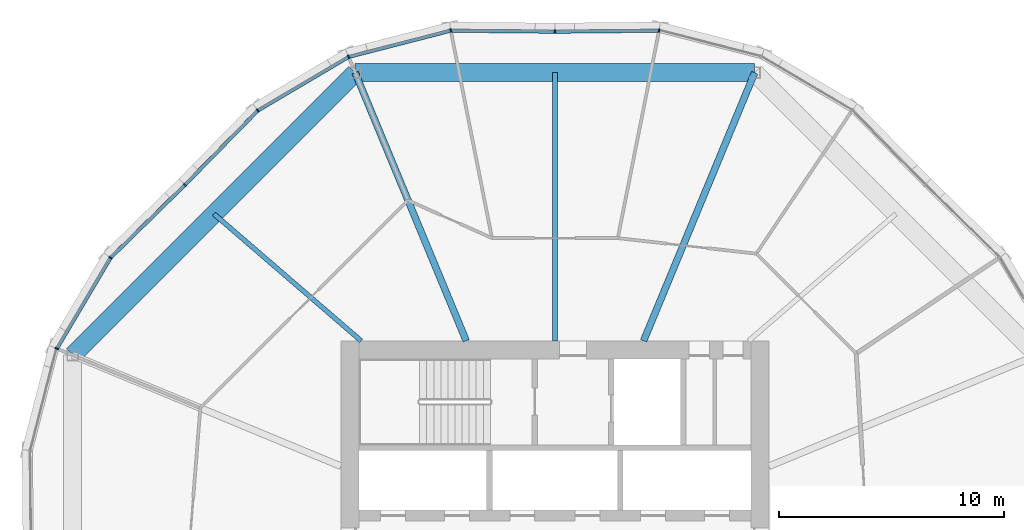
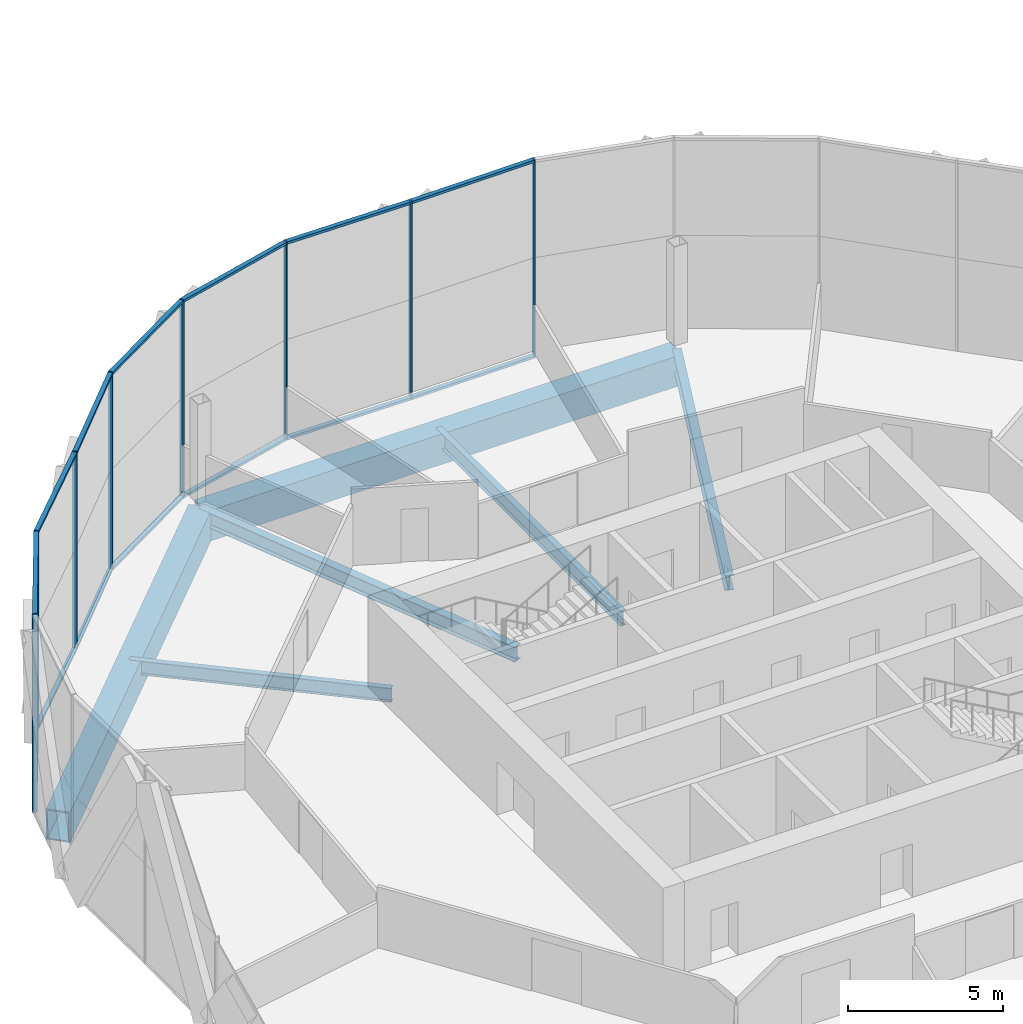
# One storey, part 7 of 31: 22 members, 6 beams, 3 elements without a shape of their own.
"""IFC4 building model written with IfcOpenShell, lengths in metres."""

from ifc_helpers import new_model, si_unit, direction, frame, origin, origin_2d, place, context, subcontext, project, spatial, rectangle, hollow_rectangle, i_section, extrude, material, material_profile, profile_set, type_object, element, aggregate, save


model = new_model("IFC4")

# Units and contexts
model_context = context("Model", 3, precision=1e-05, world=origin(), true_north=direction((0.0, 1.0)))
body_context = subcontext(model_context, "Body", "Model", "MODEL_VIEW")
ifc_project = project(units=[si_unit("LENGTHUNIT", "METRE"), si_unit("AREAUNIT", "SQUARE_METRE"), si_unit("VOLUMEUNIT", "CUBIC_METRE"), si_unit("PLANEANGLEUNIT", "RADIAN"), si_unit("MASSUNIT", "GRAM", prefix="KILO")], contexts=[model_context])

# Site, building, storey
site_placement = place(None, origin())
site = spatial("IfcSite", under=ifc_project, at=site_placement, CompositionType="ELEMENT")
building_placement = place(site_placement, origin())
building = spatial("IfcBuilding", under=site, at=building_placement, Name="Ogive Gate Towers", CompositionType="ELEMENT")
storey_placement = place(building_placement, frame((0.0, 0.0, 107.39990234375)))
storey = spatial("IfcBuildingStorey", under=building, at=storey_placement, Name="L25", CompositionType="ELEMENT", Elevation=107.39990234375)

# Beams
ifc_material_1 = material(Name="Steel SM460", Category="steel")
ifc_material_profile_1 = material_profile(ifc_material_1, hollow_rectangle(XDim=0.800048828125, YDim=1.199951171875, WallThickness=0.050048828125, at=origin_2d()), Name="BX 1200x800x50")
ifc_profile_set_1 = profile_set([ifc_material_profile_1], Name="Steel SM460")
beam_type_1 = type_object("IfcBeamType", Name="Edge girder BX 1200x800x50", PredefinedType="BEAM", material=ifc_profile_set_1)
beam_1_placement = place(storey_placement, frame((-27.136962890625, 21.39697265625, -0.89990234375), z_axis=(-1.0, 0.0, 0.0), x_axis=(0.0, -1.0, 0.0)))
element("IfcBeam", 1, at=beam_1_placement, inside=storey, type_object=beam_type_1, Name="T1/L25/SBM022", PredefinedType="BEAM", context=body_context, shape_type="SweptSolid", body=[
    extrude(hollow_rectangle(XDim=0.800048828125, YDim=1.199951171875, WallThickness=0.050048828125, at=origin_2d()), origin(), (0.0, 0.0, 1.0), 17.72607421875),
])
beam_2_placement = place(storey_placement, frame((-44.863037109375, 21.39697265625, -0.89990234375), z_axis=(-0.707106781187, -0.707106781187, 0.0), x_axis=(0.707106781187, -0.707106781187, 0.0)))
element("IfcBeam", 2, at=beam_2_placement, inside=storey, type_object=beam_type_1, Name="T1/L25/SBM023", PredefinedType="BEAM", context=body_context, shape_type="SweptSolid", body=[
    extrude(hollow_rectangle(XDim=0.800048828125, YDim=1.199951171875, WallThickness=0.050048828125, at=origin_2d()), origin(), (0.0, 0.0, 1.0), 17.7255859375),
])
ifc_material_2 = material(Name="Steel SM355", Category="steel")
ifc_material_profile_2 = material_profile(ifc_material_2, i_section(OverallWidth=0.300048828125, OverallDepth=0.590087890625, WebThickness=0.012939453125, FlangeThickness=0.02490234375, FilletRadius=0.027099609375, at=origin_2d()), Name="HE 600 A")
ifc_profile_set_2 = profile_set([ifc_material_profile_2], Name="Steel SM355")
beam_type_2 = type_object("IfcBeamType", Name="Radial floor beam HE 600 A", PredefinedType="BEAM", material=ifc_profile_set_2)
for number, where, z_axis, x_axis, name in (
    (3, (-32.06494140625, 9.5, -0.594970703125), (0.382689470177, 0.923877031545, 0.0), (-0.923877031545, 0.382689470177, 0.0), "T1/L25/SBM011"),
    (4, (-39.93505859375, 9.5, -0.594970703125), (-0.382689470177, 0.923877031545, 0.0), (-0.923877031545, -0.382689470177, 0.0), "T1/L25/SBM013"),
):
    element("IfcBeam", number, at=place(storey_placement, frame(where, z_axis=z_axis, x_axis=x_axis)), inside=storey, type_object=beam_type_2, Name=name, PredefinedType="BEAM", context=body_context, shape_type="SweptSolid", body=[
        extrude(i_section(OverallWidth=0.300048828125, OverallDepth=0.590087890625, WebThickness=0.012939453125, FlangeThickness=0.02490234375, FilletRadius=0.027099609375, at=origin_2d()), origin(), (0.0, 0.0, 1.0), 12.877197265625),
    ])
ifc_material_profile_3 = material_profile(ifc_material_2, i_section(OverallWidth=0.2099609375, OverallDepth=0.550048828125, WebThickness=0.010986328125, FlangeThickness=0.01708984375, FilletRadius=0.02392578125, at=origin_2d()), Name="IPE 550")
ifc_profile_set_3 = profile_set([ifc_material_profile_3], Name="Steel SM355")
beam_type_3 = type_object("IfcBeamType", Name="Radial floor beam IPE 550", PredefinedType="BEAM", material=ifc_profile_set_3)
beam_3_placement = place(storey_placement, frame((-44.60009765625, 9.5, -0.574951171875), z_axis=(-0.757366499315, 0.652990034928, 0.0), x_axis=(-0.652990034928, -0.757366499315, 0.0)))
element("IfcBeam", 5, at=beam_3_placement, inside=storey, type_object=beam_type_3, Name="T1/L25/SBM014", PredefinedType="BEAM", context=body_context, shape_type="SweptSolid", body=[
    extrude(i_section(OverallWidth=0.2099609375, OverallDepth=0.550048828125, WebThickness=0.010986328125, FlangeThickness=0.01708984375, FilletRadius=0.02392578125, at=origin_2d()), origin(), (0.0, 0.0, 1.0), 8.62158203125),
])
ifc_material_profile_4 = material_profile(ifc_material_2, i_section(OverallWidth=0.219970703125, OverallDepth=0.60009765625, WebThickness=0.011962890625, FlangeThickness=0.01904296875, FilletRadius=0.02392578125, at=origin_2d()), Name="IPE 600")
ifc_profile_set_4 = profile_set([ifc_material_profile_4], Name="Steel SM355")
beam_type_4 = type_object("IfcBeamType", Name="Radial floor beam IPE 600", PredefinedType="BEAM", material=ifc_profile_set_4)
beam_4_placement = place(storey_placement, frame((-36.0, 9.5, -0.599853515625), z_axis=(0.0, 1.0, 0.0), x_axis=(-1.0, 0.0, 0.0)))
element("IfcBeam", 6, at=beam_4_placement, inside=storey, type_object=beam_type_4, Name="T1/L25/SBM012", PredefinedType="BEAM", context=body_context, shape_type="SweptSolid", body=[
    extrude(i_section(OverallWidth=0.219970703125, OverallDepth=0.60009765625, WebThickness=0.011962890625, FlangeThickness=0.01904296875, FilletRadius=0.02392578125, at=origin_2d()), origin(), (0.0, 0.0, 1.0), 11.89697265625),
])

# Curtain wall, members
ifc_material_3 = material(Name="Pale metal aluminium", Category="aluminium")
curtain_wall_type = type_object("IfcCurtainWallType", Name="Tower unitised wall, low zone", PredefinedType="NOTDEFINED", material=ifc_material_3)
curtain_wall_1_placement = place(storey_placement, origin())
curtain_wall_1 = element("IfcCurtainWall", 7, at=curtain_wall_1_placement, inside=storey, type_object=curtain_wall_type, Name="CW1 T1 ECW02", PredefinedType="NOTDEFINED")
ifc_material_profile_5 = material_profile(ifc_material_3, rectangle(XDim=0.159912109375, YDim=0.06005859375, at=origin_2d()), Name="60 x 160 aluminium box")
ifc_profile_set_5 = profile_set([ifc_material_profile_5], Name="Pale metal aluminium")
member_type_1 = type_object("IfcMemberType", Name="Tower unitised wall, low zone mullion 60 x 160", PredefinedType="MULLION", material=ifc_profile_set_5)
member_1_placement = place(storey_placement, frame((-31.37841796875, 23.26611328125, -0.2998046875), z_axis=(0.0, 0.0, 1.0), x_axis=(0.120639303069, 0.99269640805, 0.0)))
member_1 = element("IfcMember", 8, at=member_1_placement, type_object=member_type_1, Name="CW1 mullion", PredefinedType="MULLION", context=body_context, shape_type="SweptSolid", body=[
    extrude(rectangle(XDim=0.159912109375, YDim=0.06005859375, at=origin_2d()), origin(), (0.0, 0.0, 1.0), 7.7998046875),
])
member_2_placement = place(storey_placement, frame((-35.999755859375, 23.219970703125, -0.2998046875), z_axis=(0.0, 0.0, 1.0), x_axis=(-0.009930760208, 0.999950688785, 0.0)))
member_2 = element("IfcMember", 9, at=member_2_placement, type_object=member_type_1, Name="CW1 mullion", PredefinedType="MULLION", context=body_context, shape_type="SweptSolid", body=[
    extrude(rectangle(XDim=0.159912109375, YDim=0.06005859375, at=origin_2d()), origin(), (0.0, 0.0, 1.0), 7.7998046875),
])

curtain_wall_2_placement = place(storey_placement, origin())
curtain_wall_2 = element("IfcCurtainWall", 10, at=curtain_wall_2_placement, inside=storey, type_object=curtain_wall_type, Name="CW1 T1 ECW03", PredefinedType="NOTDEFINED")
member_3_placement = place(storey_placement, frame((-40.62158203125, 23.26611328125, -0.2998046875), z_axis=(0.0, 0.0, 1.0), x_axis=(-0.120639303069, 0.99269640805, 0.0)))
member_3 = element("IfcMember", 11, at=member_3_placement, type_object=member_type_1, Name="CW1 mullion", PredefinedType="MULLION", context=body_context, shape_type="SweptSolid", body=[
    extrude(rectangle(XDim=0.159912109375, YDim=0.06005859375, at=origin_2d()), origin(), (0.0, 0.0, 1.0), 7.7998046875),
])
member_4_placement = place(storey_placement, frame((-45.154052734375, 22.10009765625, -0.2998046875), z_axis=(0.0, 0.0, 1.0), x_axis=(-0.382683432365, 0.923879532511, 0.0)))
member_4 = element("IfcMember", 12, at=member_4_placement, type_object=member_type_1, Name="CW1 mullion", PredefinedType="MULLION", context=body_context, shape_type="SweptSolid", body=[
    extrude(rectangle(XDim=0.159912109375, YDim=0.06005859375, at=origin_2d()), origin(), (0.0, 0.0, 1.0), 7.7998046875),
])
member_5_placement = place(storey_placement, frame((-49.18359375, 19.719482421875, -0.2998046875), z_axis=(0.0, 0.0, 1.0), x_axis=(-0.616637492514, 0.787247231069, 0.0)))
member_5 = element("IfcMember", 13, at=member_5_placement, type_object=member_type_1, Name="CW1 mullion", PredefinedType="MULLION", context=body_context, shape_type="SweptSolid", body=[
    extrude(rectangle(XDim=0.159912109375, YDim=0.06005859375, at=origin_2d()), origin(), (0.0, 0.0, 1.0), 7.7998046875),
])
member_6_placement = place(storey_placement, frame((-52.4189453125, 16.419189453125, -0.2998046875), z_axis=(0.0, 0.0, 1.0), x_axis=(-0.714081802495, 0.700062268192, 0.0)))
member_6 = element("IfcMember", 14, at=member_6_placement, type_object=member_type_1, Name="CW1 mullion", PredefinedType="MULLION", context=body_context, shape_type="SweptSolid", body=[
    extrude(rectangle(XDim=0.159912109375, YDim=0.06005859375, at=origin_2d()), origin(), (0.0, 0.0, 1.0), 7.7998046875),
])

curtain_wall_3_placement = place(storey_placement, origin())
curtain_wall_3 = element("IfcCurtainWall", 15, at=curtain_wall_3_placement, inside=storey, type_object=curtain_wall_type, Name="CW1 T1 ECW04", PredefinedType="NOTDEFINED")
member_7_placement = place(storey_placement, frame((-55.719482421875, 13.18359375, -0.2998046875), z_axis=(0.0, 0.0, 1.0), x_axis=(-0.787247231069, 0.616637492514, 0.0)))
member_7 = element("IfcMember", 16, at=member_7_placement, type_object=member_type_1, Name="CW1 mullion", PredefinedType="MULLION", context=body_context, shape_type="SweptSolid", body=[
    extrude(rectangle(XDim=0.159912109375, YDim=0.06005859375, at=origin_2d()), origin(), (0.0, 0.0, 1.0), 7.7998046875),
])
member_8_placement = place(storey_placement, frame((-58.10009765625, 9.154052734375, -0.2998046875), z_axis=(0.0, 0.0, 1.0), x_axis=(-0.923879532511, 0.382683432365, 0.0)))
member_8 = element("IfcMember", 17, at=member_8_placement, type_object=member_type_1, Name="CW1 mullion", PredefinedType="MULLION", context=body_context, shape_type="SweptSolid", body=[
    extrude(rectangle(XDim=0.159912109375, YDim=0.06005859375, at=origin_2d()), origin(), (0.0, 0.0, 1.0), 7.7998046875),
])

# Member
ifc_material_profile_6 = material_profile(ifc_material_3, rectangle(XDim=0.159912109375, YDim=0.10009765625, at=origin_2d()), Name="100 x 160 aluminium box")
ifc_profile_set_6 = profile_set([ifc_material_profile_6], Name="Pale metal aluminium")
member_type_2 = type_object("IfcMemberType", Name="Tower unitised wall, low zone transom 100 x 160", PredefinedType="USERDEFINED", material=ifc_profile_set_6)
member_9_placement = place(storey_placement, frame((-31.40576171875, 23.265625, 7.4501953125), z_axis=(-0.999950505246, -0.009949224028, 0.0), x_axis=(0.009949224028, -0.999950505246, 0.0)))
member_9 = element("IfcMember", 18, at=member_9_placement, type_object=member_type_2, Name="CW1 transom", ObjectType="TRANSOM", PredefinedType="USERDEFINED", context=body_context, shape_type="SweptSolid", body=[
    extrude(rectangle(XDim=0.159912109375, YDim=0.10009765625, at=origin_2d()), origin(), (0.0, 0.0, 1.0), 4.564208984375),
])

member_10_placement = place(storey_placement, frame((-31.40576171875, 23.265625, -0.25), z_axis=(-0.999950505246, -0.009949224028, 0.0), x_axis=(0.009949224028, -0.999950505246, 0.0)))
member_10 = element("IfcMember", 19, at=member_10_placement, type_object=member_type_2, Name="CW1 transom", ObjectType="TRANSOM", PredefinedType="USERDEFINED", context=body_context, shape_type="SweptSolid", body=[
    extrude(rectangle(XDim=0.159912109375, YDim=0.10009765625, at=origin_2d()), origin(), (0.0, 0.0, 1.0), 4.564208984375),
])

aggregate(curtain_wall_1, [member_1, member_2, member_9, member_10])

member_11_placement = place(storey_placement, frame((-36.0302734375, 23.22021484375, 7.4501953125), z_axis=(-0.999950505246, 0.009949224028, 0.0), x_axis=(-0.009949224028, -0.999950505246, 0.0)))
member_11 = element("IfcMember", 20, at=member_11_placement, type_object=member_type_2, Name="CW1 transom", ObjectType="TRANSOM", PredefinedType="USERDEFINED", context=body_context, shape_type="SweptSolid", body=[
    extrude(rectangle(XDim=0.159912109375, YDim=0.10009765625, at=origin_2d()), origin(), (0.0, 0.0, 1.0), 4.564208984375),
])

member_12_placement = place(storey_placement, frame((-36.0302734375, 23.22021484375, -0.25), z_axis=(-0.999950505246, 0.009949224028, 0.0), x_axis=(-0.009949224028, -0.999950505246, 0.0)))
member_12 = element("IfcMember", 21, at=member_12_placement, type_object=member_type_2, Name="CW1 transom", ObjectType="TRANSOM", PredefinedType="USERDEFINED", context=body_context, shape_type="SweptSolid", body=[
    extrude(rectangle(XDim=0.159912109375, YDim=0.10009765625, at=origin_2d()), origin(), (0.0, 0.0, 1.0), 4.564208984375),
])

member_13_placement = place(storey_placement, frame((-40.648193359375, 23.259033203125, 7.4501953125), z_axis=(-0.968468193221, -0.24913722869, 0.0), x_axis=(0.24913722869, -0.968468193221, 0.0)))
member_13 = element("IfcMember", 22, at=member_13_placement, type_object=member_type_2, Name="CW1 transom", ObjectType="TRANSOM", PredefinedType="USERDEFINED", context=body_context, shape_type="SweptSolid", body=[
    extrude(rectangle(XDim=0.159912109375, YDim=0.10009765625, at=origin_2d()), origin(), (0.0, 0.0, 1.0), 4.625244140625),
])

member_14_placement = place(storey_placement, frame((-40.648193359375, 23.259033203125, -0.25), z_axis=(-0.968468193221, -0.24913722869, 0.0), x_axis=(0.24913722869, -0.968468193221, 0.0)))
member_14 = element("IfcMember", 23, at=member_14_placement, type_object=member_type_2, Name="CW1 transom", ObjectType="TRANSOM", PredefinedType="USERDEFINED", context=body_context, shape_type="SweptSolid", body=[
    extrude(rectangle(XDim=0.159912109375, YDim=0.10009765625, at=origin_2d()), origin(), (0.0, 0.0, 1.0), 4.625244140625),
])

member_15_placement = place(storey_placement, frame((-45.177490234375, 22.086181640625, 7.4501953125), z_axis=(-0.860970657685, -0.508654624087, 0.0), x_axis=(0.508654624087, -0.860970657685, 0.0)))
member_15 = element("IfcMember", 24, at=member_15_placement, type_object=member_type_2, Name="CW1 transom", ObjectType="TRANSOM", PredefinedType="USERDEFINED", context=body_context, shape_type="SweptSolid", body=[
    extrude(rectangle(XDim=0.159912109375, YDim=0.10009765625, at=origin_2d()), origin(), (0.0, 0.0, 1.0), 4.62548828125),
])

member_16_placement = place(storey_placement, frame((-45.177490234375, 22.086181640625, -0.25), z_axis=(-0.860970657685, -0.508654624087, 0.0), x_axis=(0.508654624087, -0.860970657685, 0.0)))
member_16 = element("IfcMember", 25, at=member_16_placement, type_object=member_type_2, Name="CW1 transom", ObjectType="TRANSOM", PredefinedType="USERDEFINED", context=body_context, shape_type="SweptSolid", body=[
    extrude(rectangle(XDim=0.159912109375, YDim=0.10009765625, at=origin_2d()), origin(), (0.0, 0.0, 1.0), 4.62548828125),
])

member_17_placement = place(storey_placement, frame((-49.20263671875, 19.699951171875, 7.4501953125), z_axis=(-0.700064993467, -0.714079130714, 0.0), x_axis=(0.714079130714, -0.700064993467, 0.0)))
member_17 = element("IfcMember", 26, at=member_17_placement, type_object=member_type_2, Name="CW1 transom", ObjectType="TRANSOM", PredefinedType="USERDEFINED", context=body_context, shape_type="SweptSolid", body=[
    extrude(rectangle(XDim=0.159912109375, YDim=0.10009765625, at=origin_2d()), origin(), (0.0, 0.0, 1.0), 4.564208984375),
])

member_18_placement = place(storey_placement, frame((-49.20263671875, 19.699951171875, -0.25), z_axis=(-0.700064993467, -0.714079130714, 0.0), x_axis=(0.714079130714, -0.700064993467, 0.0)))
member_18 = element("IfcMember", 27, at=member_18_placement, type_object=member_type_2, Name="CW1 transom", ObjectType="TRANSOM", PredefinedType="USERDEFINED", context=body_context, shape_type="SweptSolid", body=[
    extrude(rectangle(XDim=0.159912109375, YDim=0.10009765625, at=origin_2d()), origin(), (0.0, 0.0, 1.0), 4.564208984375),
])

aggregate(curtain_wall_2, [member_3, member_11, member_12, member_4, member_13, member_14, member_5, member_15, member_16, member_6, member_17, member_18])

member_19_placement = place(storey_placement, frame((-52.440673828125, 16.39794921875, 7.4501953125), z_axis=(-0.714079130714, -0.700064993467, 0.0), x_axis=(0.700064993467, -0.714079130714, 0.0)))
member_19 = element("IfcMember", 28, at=member_19_placement, type_object=member_type_2, Name="CW1 transom", ObjectType="TRANSOM", PredefinedType="USERDEFINED", context=body_context, shape_type="SweptSolid", body=[
    extrude(rectangle(XDim=0.159912109375, YDim=0.10009765625, at=origin_2d()), origin(), (0.0, 0.0, 1.0), 4.564208984375),
])

member_20_placement = place(storey_placement, frame((-52.440673828125, 16.39794921875, -0.25), z_axis=(-0.714079130714, -0.700064993467, 0.0), x_axis=(0.700064993467, -0.714079130714, 0.0)))
member_20 = element("IfcMember", 29, at=member_20_placement, type_object=member_type_2, Name="CW1 transom", ObjectType="TRANSOM", PredefinedType="USERDEFINED", context=body_context, shape_type="SweptSolid", body=[
    extrude(rectangle(XDim=0.159912109375, YDim=0.10009765625, at=origin_2d()), origin(), (0.0, 0.0, 1.0), 4.564208984375),
])

member_21_placement = place(storey_placement, frame((-55.7333984375, 13.159912109375, 7.4501953125), z_axis=(-0.508654624087, -0.860970657685, 0.0), x_axis=(0.860970657685, -0.508654624087, 0.0)))
member_21 = element("IfcMember", 30, at=member_21_placement, type_object=member_type_2, Name="CW1 transom", ObjectType="TRANSOM", PredefinedType="USERDEFINED", context=body_context, shape_type="SweptSolid", body=[
    extrude(rectangle(XDim=0.159912109375, YDim=0.10009765625, at=origin_2d()), origin(), (0.0, 0.0, 1.0), 4.62548828125),
])

member_22_placement = place(storey_placement, frame((-55.7333984375, 13.159912109375, -0.25), z_axis=(-0.508654624087, -0.860970657685, 0.0), x_axis=(0.860970657685, -0.508654624087, 0.0)))
member_22 = element("IfcMember", 31, at=member_22_placement, type_object=member_type_2, Name="CW1 transom", ObjectType="TRANSOM", PredefinedType="USERDEFINED", context=body_context, shape_type="SweptSolid", body=[
    extrude(rectangle(XDim=0.159912109375, YDim=0.10009765625, at=origin_2d()), origin(), (0.0, 0.0, 1.0), 4.62548828125),
])

aggregate(curtain_wall_3, [member_7, member_19, member_20, member_8, member_21, member_22])

save(model, "model.ifc")
